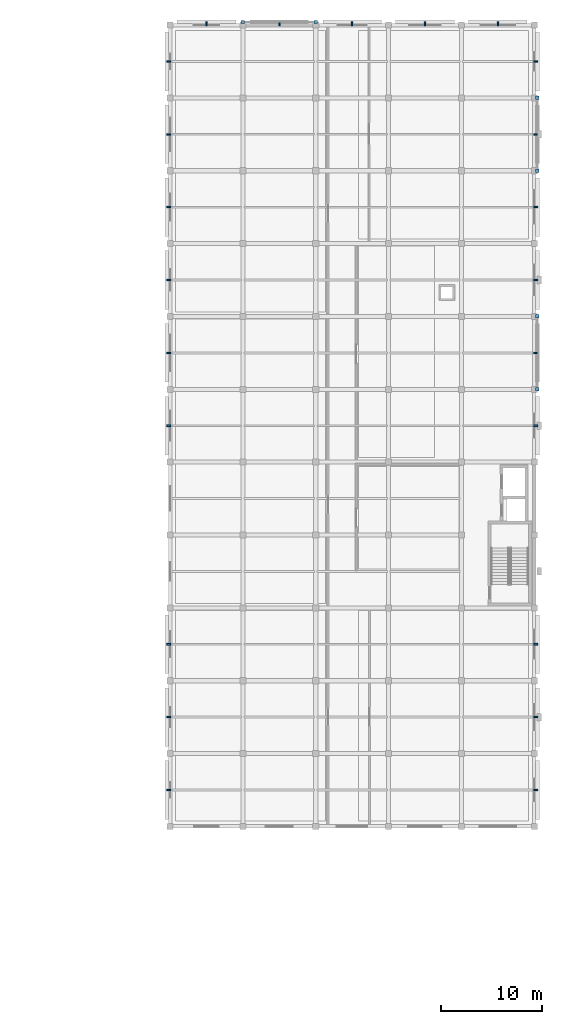
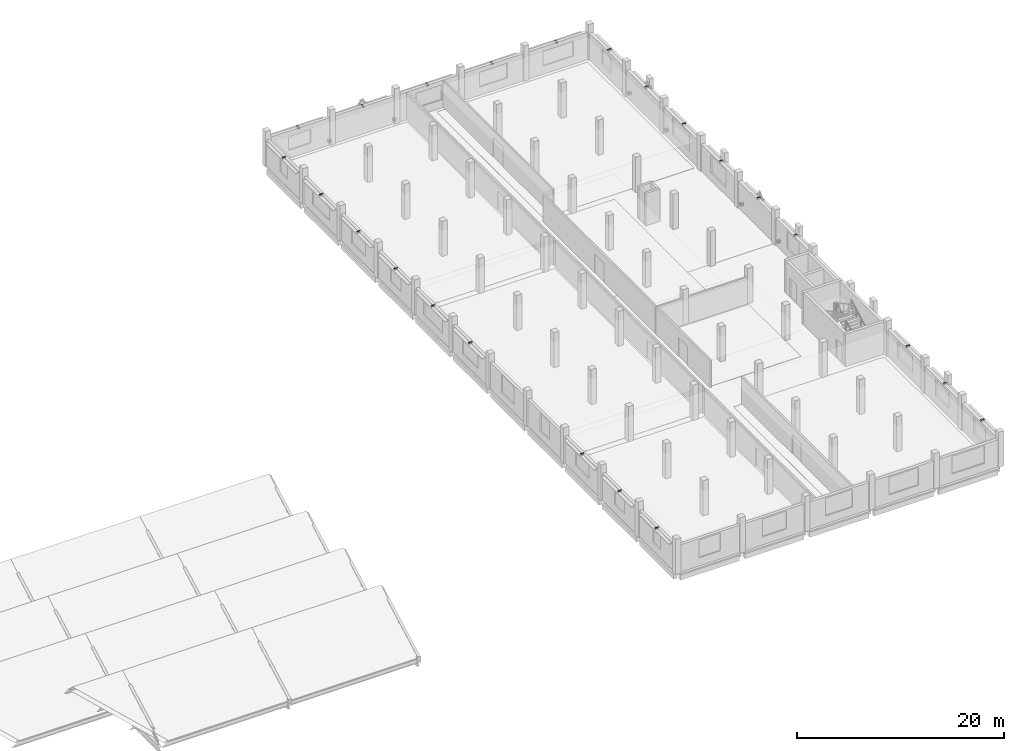
# One storey, part 45 of 51: 29 discrete accessories.
"""IFC4 building model written with IfcOpenShell, lengths in metres."""

from ifc_helpers import new_model, si_unit, direction, frame, origin, origin_2d, place, context, subcontext, project, spatial, rectangle, extrude, material, type_object, element, save


model = new_model("IFC4")

# Units and contexts
model_context = context("Model", 3, precision=1e-05, world=origin(), true_north=direction((0.0, 1.0)))
body_context = subcontext(model_context, "Body", "Model", "MODEL_VIEW")
ifc_project = project(units=[si_unit("LENGTHUNIT", "METRE"), si_unit("AREAUNIT", "SQUARE_METRE"), si_unit("VOLUMEUNIT", "CUBIC_METRE"), si_unit("PLANEANGLEUNIT", "RADIAN"), si_unit("MASSUNIT", "GRAM", prefix="KILO")], contexts=[model_context])

# Site, building, storey
site_placement = place(None, origin())
site = spatial("IfcSite", under=ifc_project, at=site_placement, CompositionType="ELEMENT")
building_placement = place(site_placement, origin())
building = spatial("IfcBuilding", under=site, at=building_placement, Name="Valkovuoma Quantum and Materials Research Institute", CompositionType="ELEMENT")
storey_placement = place(building_placement, frame((0.0, 0.0, 17.280029296875)))
storey = spatial("IfcBuildingStorey", under=building, at=storey_placement, Name="L04", CompositionType="ELEMENT", Elevation=17.280029296875)

# Discrete accessories
ifc_material_1 = material(Name="Steel S355J2", Category="steel")
discrete_accessory_type_1 = type_object("IfcDiscreteAccessoryType", Name="Brk-BRK-01", PredefinedType="BRACKET", material=ifc_material_1)
for number, where, z_axis, x_axis, name in (
    (1, (165.739990234375, 39.60009765625, 2.93994140625), (0.0, 0.0, 1.0), (1.0, 0.0, 0.0), "L04 sunshade bracket 00682"),
    (2, (129.4599609375, 39.60009765625, 2.93994140625), (0.0, 0.0, 1.0), (1.0, 0.0, 0.0), "L04 sunshade bracket 00683"),
    (3, (165.739990234375, 46.800048828125, 2.93994140625), (0.0, 0.0, 1.0), (1.0, 0.0, 0.0), "L04 sunshade bracket 00684"),
    (4, (129.4599609375, 46.800048828125, 2.93994140625), (0.0, 0.0, 1.0), (1.0, 0.0, 0.0), "L04 sunshade bracket 00685"),
    (5, (165.739990234375, 54.0, 2.93994140625), (0.0, 0.0, 1.0), (1.0, 0.0, 0.0), "L04 sunshade bracket 00686"),
    (6, (129.4599609375, 54.0, 2.93994140625), (0.0, 0.0, 1.0), (1.0, 0.0, 0.0), "L04 sunshade bracket 00687"),
    (7, (165.739990234375, 75.60009765625, 2.93994140625), (0.0, 0.0, 1.0), (1.0, 0.0, 0.0), "L04 sunshade bracket 00688"),
    (8, (129.4599609375, 75.60009765625, 2.93994140625), (0.0, 0.0, 1.0), (1.0, 0.0, 0.0), "L04 sunshade bracket 00689"),
    (9, (165.739990234375, 82.800048828125, 2.93994140625), (0.0, 0.0, 1.0), (1.0, 0.0, 0.0), "L04 sunshade bracket 00690"),
    (10, (129.4599609375, 82.800048828125, 2.93994140625), (0.0, 0.0, 1.0), (1.0, 0.0, 0.0), "L04 sunshade bracket 00691"),
    (11, (165.739990234375, 90.0, 2.93994140625), (0.0, 0.0, 1.0), (1.0, 0.0, 0.0), "L04 sunshade bracket 00692"),
    (12, (129.4599609375, 90.0, 2.93994140625), (0.0, 0.0, 1.0), (1.0, 0.0, 0.0), "L04 sunshade bracket 00693"),
    (13, (165.739990234375, 97.199951171875, 2.93994140625), (0.0, 0.0, 1.0), (1.0, 0.0, 0.0), "L04 sunshade bracket 00694"),
    (14, (129.4599609375, 97.199951171875, 2.93994140625), (0.0, 0.0, 1.0), (1.0, 0.0, 0.0), "L04 sunshade bracket 00695"),
    (15, (165.739990234375, 104.39990234375, 2.93994140625), (0.0, 0.0, 1.0), (1.0, 0.0, 0.0), "L04 sunshade bracket 00696"),
    (16, (129.4599609375, 104.39990234375, 2.93994140625), (0.0, 0.0, 1.0), (1.0, 0.0, 0.0), "L04 sunshade bracket 00697"),
    (17, (165.739990234375, 111.60009765625, 2.93994140625), (0.0, 0.0, 1.0), (1.0, 0.0, 0.0), "L04 sunshade bracket 00698"),
    (18, (129.4599609375, 111.60009765625, 2.93994140625), (0.0, 0.0, 1.0), (1.0, 0.0, 0.0), "L04 sunshade bracket 00699"),
):
    element("IfcDiscreteAccessory", number, at=place(storey_placement, frame(where, z_axis=z_axis, x_axis=x_axis)), inside=storey, type_object=discrete_accessory_type_1, Name=name, PredefinedType="BRACKET", context=body_context, shape_type="SweptSolid", body=[
        extrude(rectangle(XDim=0.39990234375, YDim=0.159912109375, at=origin_2d()), origin(), (0.0, 0.0, 1.0), 0.219970703125),
    ])
for number, where, z_axis, x_axis, name in (
    (19, (133.199951171875, 115.340087890625, 2.93994140625), (0.0, 0.0, 1.0), (1.0, 0.0, 0.0), "L04 north sunshade bracket 00700"),
    (20, (140.39990234375, 115.340087890625, 2.93994140625), (0.0, 0.0, 1.0), (1.0, 0.0, 0.0), "L04 north sunshade bracket 00701"),
    (21, (147.60009765625, 115.340087890625, 2.93994140625), (0.0, 0.0, 1.0), (1.0, 0.0, 0.0), "L04 north sunshade bracket 00702"),
    (22, (154.800048828125, 115.340087890625, 2.93994140625), (0.0, 0.0, 1.0), (1.0, 0.0, 0.0), "L04 north sunshade bracket 00703"),
    (23, (162.0, 115.340087890625, 2.93994140625), (0.0, 0.0, 1.0), (1.0, 0.0, 0.0), "L04 north sunshade bracket 00704"),
):
    element("IfcDiscreteAccessory", number, at=place(storey_placement, frame(where, z_axis=z_axis, x_axis=x_axis)), inside=storey, type_object=discrete_accessory_type_1, Name=name, PredefinedType="BRACKET", context=body_context, shape_type="SweptSolid", body=[
        extrude(rectangle(XDim=0.159912109375, YDim=0.39990234375, at=origin_2d()), origin(), (0.0, 0.0, 1.0), 0.219970703125),
    ])
ifc_material_2 = material(Name="Steel S355J2", Category="steel")
discrete_accessory_type_2 = type_object("IfcDiscreteAccessoryType", Name="Conn-END-01", PredefinedType="BRACKET", material=ifc_material_2)
for number, where, z_axis, x_axis, name in (
    (24, (165.89990234375, 79.199951171875, -0.0703125), (0.0, 0.0, 1.0), (1.0, 0.0, 0.0), "L04 brace end connection assembly 0296"),
    (25, (165.89990234375, 86.39990234375, -0.0703125), (0.0, 0.0, 1.0), (1.0, 0.0, 0.0), "L04 brace end connection assembly 0297"),
    (26, (165.89990234375, 100.800048828125, -0.0703125), (0.0, 0.0, 1.0), (1.0, 0.0, 0.0), "L04 brace end connection assembly 0308"),
    (27, (165.89990234375, 108.0, -0.0703125), (0.0, 0.0, 1.0), (1.0, 0.0, 0.0), "L04 brace end connection assembly 0309"),
    (28, (136.800048828125, 115.5, -0.0703125), (0.0, 0.0, 1.0), (1.0, 0.0, 0.0), "L04 brace end connection assembly 0320"),
    (29, (144.0, 115.5, -0.0703125), (0.0, 0.0, 1.0), (1.0, 0.0, 0.0), "L04 brace end connection assembly 0321"),
):
    element("IfcDiscreteAccessory", number, at=place(storey_placement, frame(where, z_axis=z_axis, x_axis=x_axis)), inside=storey, type_object=discrete_accessory_type_2, Name=name, PredefinedType="BRACKET", context=body_context, shape_type="SweptSolid", body=[
        extrude(rectangle(XDim=0.340087890625, YDim=0.340087890625, at=origin_2d()), origin(), (0.0, 0.0, 1.0), 0.340087890625),
    ])

save(model, "model.ifc")
